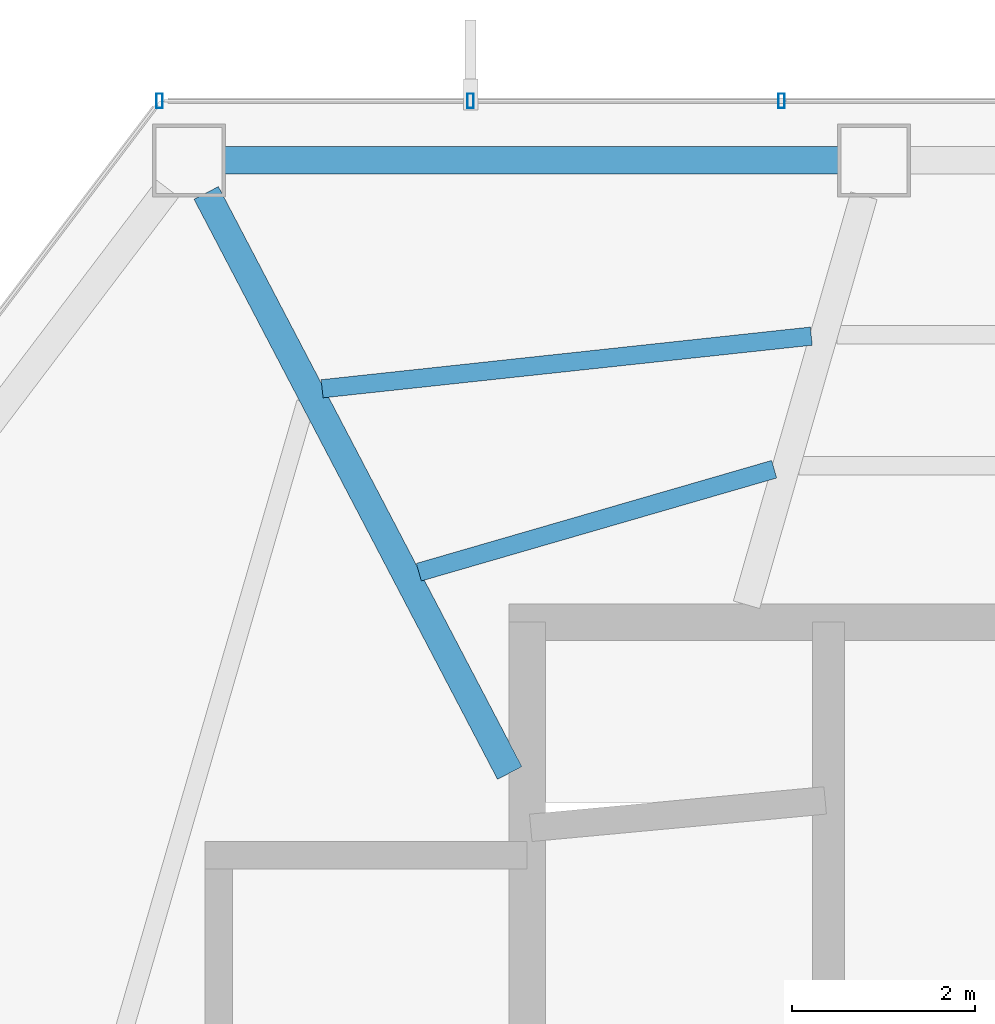
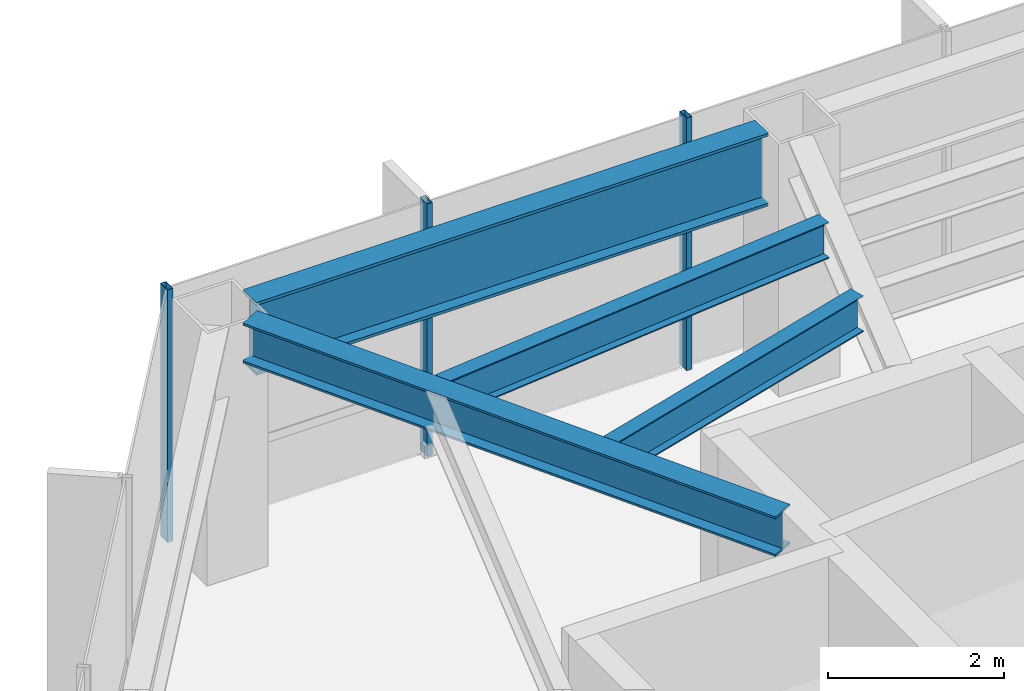
# One storey, part 13 of 29: 4 beams, 3 members, 1 element without a shape of its own.
"""IFC4 building model written with IfcOpenShell, lengths in metres."""

from ifc_helpers import new_model, si_unit, direction, frame, origin, origin_2d, place, context, subcontext, project, spatial, hollow_rectangle, i_section, extrude, material, layer, layer_set, material_profile, profile_set, type_object, element, aggregate, save


model = new_model("IFC4")

# Units and contexts
model_context = context("Model", 3, precision=1e-05, world=origin(), true_north=direction((0.0, 1.0)))
body_context = subcontext(model_context, "Body", "Model", "MODEL_VIEW")
ifc_project = project(units=[si_unit("LENGTHUNIT", "METRE"), si_unit("AREAUNIT", "SQUARE_METRE"), si_unit("VOLUMEUNIT", "CUBIC_METRE"), si_unit("PLANEANGLEUNIT", "RADIAN"), si_unit("MASSUNIT", "GRAM", prefix="KILO")], contexts=[model_context])

# Site, building, storey
site_placement = place(None, origin())
site = spatial("IfcSite", under=ifc_project, at=site_placement, CompositionType="ELEMENT")
building_placement = place(site_placement, origin())
building = spatial("IfcBuilding", under=site, at=building_placement, Name="Zarrinselat Tower", CompositionType="ELEMENT")
storey_placement = place(building_placement, frame((0.0, 0.0, 138.3798828125)))
storey = spatial("IfcBuildingStorey", under=building, at=storey_placement, Name="L33", CompositionType="ELEMENT", Elevation=138.3798828125)

# Beams
ifc_material_1 = material(Name="Steel S355J2", Category="steel")
ifc_material_profile_1 = material_profile(ifc_material_1, i_section(OverallWidth=0.300048828125, OverallDepth=0.550048828125, WebThickness=0.014892578125, FlangeThickness=0.029052734375, at=origin_2d()), Name="HEB 550")
ifc_profile_set_1 = profile_set([ifc_material_profile_1], Name="Steel S355J2")
beam_type_1 = type_object("IfcBeamType", Name="BM-HEB550", PredefinedType="BEAM", material=ifc_profile_set_1)
beam_1_placement = place(storey_placement, frame((25.0908203125, 48.143798828125, 3.22509765625), z_axis=(0.463587732744, -0.88605102226, 0.0), x_axis=(0.88605102226, 0.463587732744, 0.0)))
element("IfcBeam", 1, at=beam_1_placement, inside=storey, type_object=beam_type_1, Name="L33 Radial Primary Girder RG05", PredefinedType="BEAM", context=body_context, shape_type="SweptSolid", body=[
    extrude(i_section(OverallWidth=0.300048828125, OverallDepth=0.550048828125, WebThickness=0.014892578125, FlangeThickness=0.029052734375, at=origin_2d()), origin(), (0.0, 0.0, 1.0), 7.15966796875),
])
ifc_material_2 = material(Name="Steel S460M", Category="steel")
ifc_material_profile_2 = material_profile(ifc_material_2, i_section(OverallWidth=0.302001953125, OverallDepth=1.008056640625, WebThickness=0.02099609375, FlangeThickness=0.0400390625, at=origin_2d()), Name="HEM 1000")
ifc_profile_set_2 = profile_set([ifc_material_profile_2], Name="Steel S460M")
beam_type_2 = type_object("IfcBeamType", Name="BM-HEM1000", PredefinedType="BEAM", material=ifc_profile_set_2)
beam_2_placement = place(storey_placement, frame((25.29248046875, 48.5, 2.99609375), z_axis=(1.0, 0.0, 0.0), x_axis=(0.0, 1.0, 0.0)))
element("IfcBeam", 2, at=beam_2_placement, inside=storey, type_object=beam_type_2, Name="L33 Perimeter Spandrel Girder SP04", PredefinedType="BEAM", context=body_context, shape_type="SweptSolid", body=[
    extrude(i_section(OverallWidth=0.302001953125, OverallDepth=1.008056640625, WebThickness=0.02099609375, FlangeThickness=0.0400390625, at=origin_2d()), origin(), (0.0, 0.0, 1.0), 6.714111328125),
])
ifc_material_3 = material(Name="Steel S355J2", Category="steel")
ifc_material_profile_3 = material_profile(ifc_material_3, i_section(OverallWidth=0.199951171875, OverallDepth=0.5, WebThickness=0.01025390625, FlangeThickness=0.01611328125, at=origin_2d()), Name="IPE 500")
ifc_profile_set_3 = profile_set([ifc_material_profile_3], Name="Steel S355J2")
beam_type_3 = type_object("IfcBeamType", Name="BM-IPE500", PredefinedType="JOIST", material=ifc_profile_set_3)
beam_3_placement = place(storey_placement, frame((26.3583984375, 46.001953125, 3.25), z_axis=(0.994259609148, 0.106994530776, 0.0), x_axis=(-0.106994530776, 0.994259609148, 0.0)))
element("IfcBeam", 3, at=beam_3_placement, inside=storey, type_object=beam_type_3, Name="L33 Composite Floor Joist 9-1", PredefinedType="JOIST", context=body_context, shape_type="SweptSolid", body=[
    extrude(i_section(OverallWidth=0.199951171875, OverallDepth=0.5, WebThickness=0.01025390625, FlangeThickness=0.01611328125, at=origin_2d()), origin(), (0.0, 0.0, 1.0), 5.380615234375),
])
beam_4_placement = place(storey_placement, frame((27.416015625, 43.995849609375, 3.25), z_axis=(0.960476420644, 0.278361357569, 0.0), x_axis=(-0.278361357569, 0.960476420644, 0.0)))
element("IfcBeam", 4, at=beam_4_placement, inside=storey, type_object=beam_type_3, Name="L33 Composite Floor Joist 9-2", PredefinedType="JOIST", context=body_context, shape_type="SweptSolid", body=[
    extrude(i_section(OverallWidth=0.199951171875, OverallDepth=0.5, WebThickness=0.01025390625, FlangeThickness=0.01611328125, at=origin_2d()), origin(), (0.0, 0.0, 1.0), 4.0458984375),
])

# Curtain wall, members
ifc_material_4 = material(Name="Extruded Aluminium Alloy EN AW-6063 T6", Category="aluminium")
ifc_layer = layer(ifc_material_4, 0.175048828125)
ifc_layer_set = layer_set([ifc_layer], Name="Extruded Aluminium Alloy EN AW-6063 T6")
curtain_wall_type = type_object("IfcCurtainWallType", Name="CWS-HTL", PredefinedType="NOTDEFINED", material=ifc_layer_set)
curtain_wall_placement = place(storey_placement, origin())
curtain_wall = element("IfcCurtainWall", 5, at=curtain_wall_placement, inside=storey, type_object=curtain_wall_type, Name="L33 Unitised Curtain Wall CW-L33-E01", PredefinedType="NOTDEFINED")
ifc_material_5 = material(Name="Extruded Aluminium Alloy EN AW-6063 T6", Category="aluminium")
ifc_material_profile_4 = material_profile(ifc_material_5, hollow_rectangle(XDim=0.070068359375, YDim=0.159912109375, WallThickness=0.00390625, at=origin_2d()), Name="RHS 160x70x4")
ifc_profile_set_4 = profile_set([ifc_material_profile_4], Name="Extruded Aluminium Alloy EN AW-6063 T6")
member_type = type_object("IfcMemberType", Name="MEM-CW-MUL2", PredefinedType="MULLION", material=ifc_profile_set_4)
member_1_placement = place(storey_placement, frame((31.3828125, 49.14990234375, 0.0), z_axis=(0.0, 0.0, 1.0), x_axis=(-1.0, 0.0, 0.0)))
member_1 = element("IfcMember", 6, at=member_1_placement, type_object=member_type, Name="CW-L33-E01 Mullion 8", PredefinedType="MULLION", context=body_context, shape_type="SweptSolid", body=[
    extrude(hollow_rectangle(XDim=0.070068359375, YDim=0.159912109375, WallThickness=0.00390625, at=origin_2d()), origin(), (0.0, 0.0, 1.0), 3.5),
])
member_2_placement = place(storey_placement, frame((27.982177734375, 49.14990234375, 0.0), z_axis=(0.0, 0.0, 1.0), x_axis=(-1.0, 0.0, 0.0)))
member_2 = element("IfcMember", 7, at=member_2_placement, type_object=member_type, Name="CW-L33-E01 Mullion 9", PredefinedType="MULLION", context=body_context, shape_type="SweptSolid", body=[
    extrude(hollow_rectangle(XDim=0.070068359375, YDim=0.159912109375, WallThickness=0.00390625, at=origin_2d()), origin(), (0.0, 0.0, 1.0), 3.5),
])
member_3_placement = place(storey_placement, frame((24.581298828125, 49.14990234375, 0.0), z_axis=(0.0, 0.0, 1.0), x_axis=(-1.0, 0.0, 0.0)))
member_3 = element("IfcMember", 8, at=member_3_placement, type_object=member_type, Name="CW-L33-E01 Mullion 10", PredefinedType="MULLION", context=body_context, shape_type="SweptSolid", body=[
    extrude(hollow_rectangle(XDim=0.070068359375, YDim=0.159912109375, WallThickness=0.00390625, at=origin_2d()), origin(), (0.0, 0.0, 1.0), 3.5),
])
aggregate(curtain_wall, [member_1, member_2, member_3])

save(model, "model.ifc")
